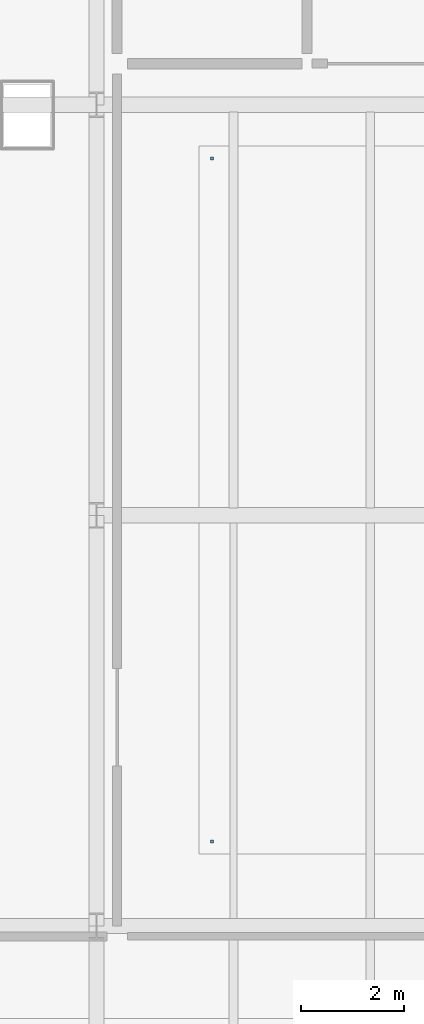
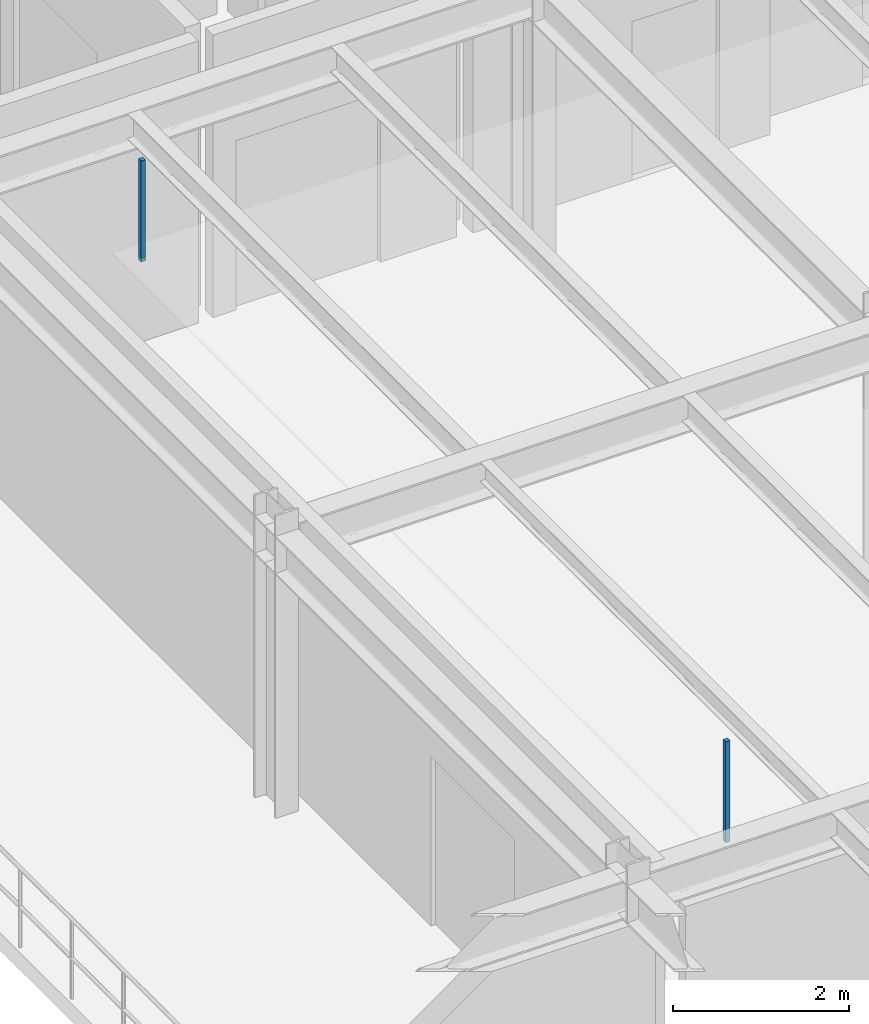
# One storey, part 100 of 122: 2 discrete accessories.
"""IFC4 building model written with IfcOpenShell, lengths in metres."""

from ifc_helpers import new_model, si_unit, direction, frame, origin, origin_2d, place, context, subcontext, project, spatial, rectangle, extrude, material, type_object, element, save


model = new_model("IFC4")

# Units and contexts
model_context = context("Model", 3, precision=1e-05, world=origin(), true_north=direction((0.0, 1.0)))
body_context = subcontext(model_context, "Body", "Model", "MODEL_VIEW")
ifc_project = project(units=[si_unit("LENGTHUNIT", "METRE"), si_unit("AREAUNIT", "SQUARE_METRE"), si_unit("VOLUMEUNIT", "CUBIC_METRE"), si_unit("PLANEANGLEUNIT", "RADIAN"), si_unit("MASSUNIT", "GRAM", prefix="KILO")], contexts=[model_context])

# Site, building, storey
site_placement = place(None, origin())
site = spatial("IfcSite", under=ifc_project, at=site_placement, CompositionType="ELEMENT")
building_placement = place(site_placement, origin())
building = spatial("IfcBuilding", under=site, at=building_placement, Name="Sundkrona Museum", CompositionType="ELEMENT")
storey_placement = place(building_placement, frame((0.0, 0.0, 5.39990234375)))
storey = spatial("IfcBuildingStorey", under=building, at=storey_placement, Name="L01", CompositionType="ELEMENT", Elevation=5.39990234375)

# Discrete accessories
ifc_material = material(Name="Stainless Steel EN 1.4404 Cleat", Category="steel")
discrete_accessory_type = type_object("IfcDiscreteAccessoryType", Name="BRK-FIN-01", PredefinedType="BRACKET", material=ifc_material)
for number, where, z_axis, x_axis, name in (
    (1, (154.25, 17.64990234375, 2.550048828125), (0.0, 0.0, 1.0), (1.0, 0.0, 0.0), "L01 Amber and Fossil Mezzanine Gallery Ceiling Hanger 1"),
    (2, (154.25, 30.949951171875, 2.550048828125), (0.0, 0.0, 1.0), (1.0, 0.0, 0.0), "L01 Amber and Fossil Mezzanine Gallery Ceiling Hanger 4"),
):
    element("IfcDiscreteAccessory", number, at=place(storey_placement, frame(where, z_axis=z_axis, x_axis=x_axis)), inside=storey, type_object=discrete_accessory_type, Name=name, PredefinedType="BRACKET", context=body_context, shape_type="SweptSolid", body=[
        extrude(rectangle(XDim=0.06005859375, YDim=0.06005859375, at=origin_2d()), origin(), (0.0, 0.0, 1.0), 1.39990234375),
    ])

save(model, "model.ifc")
